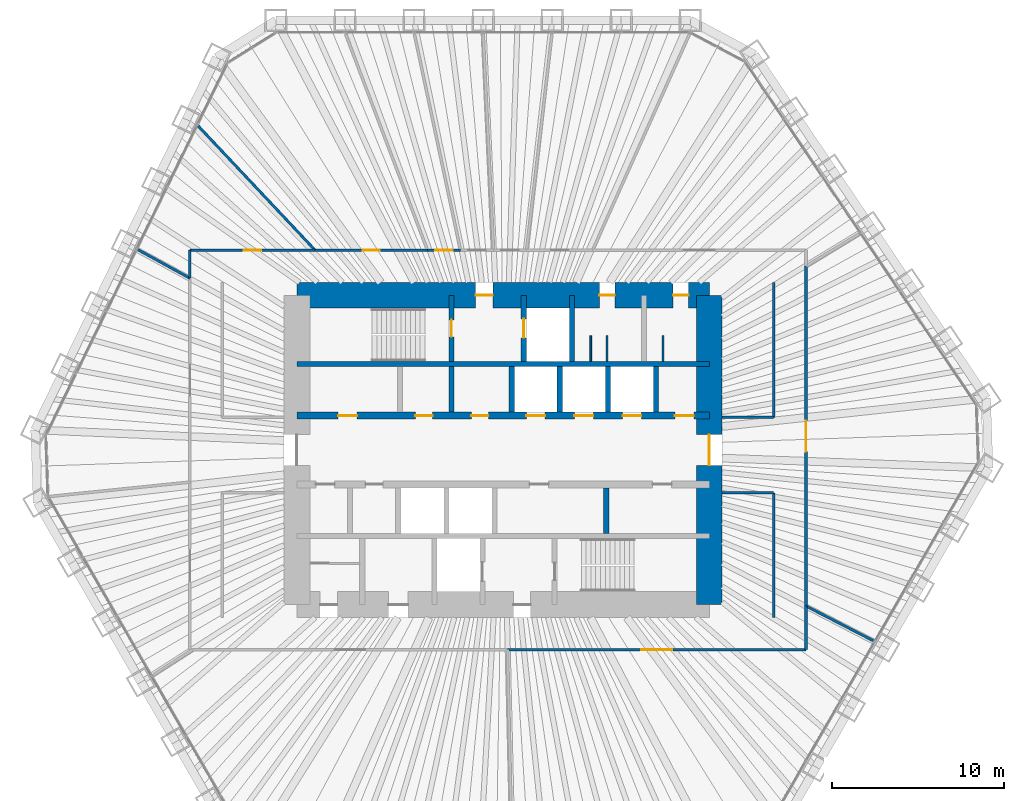
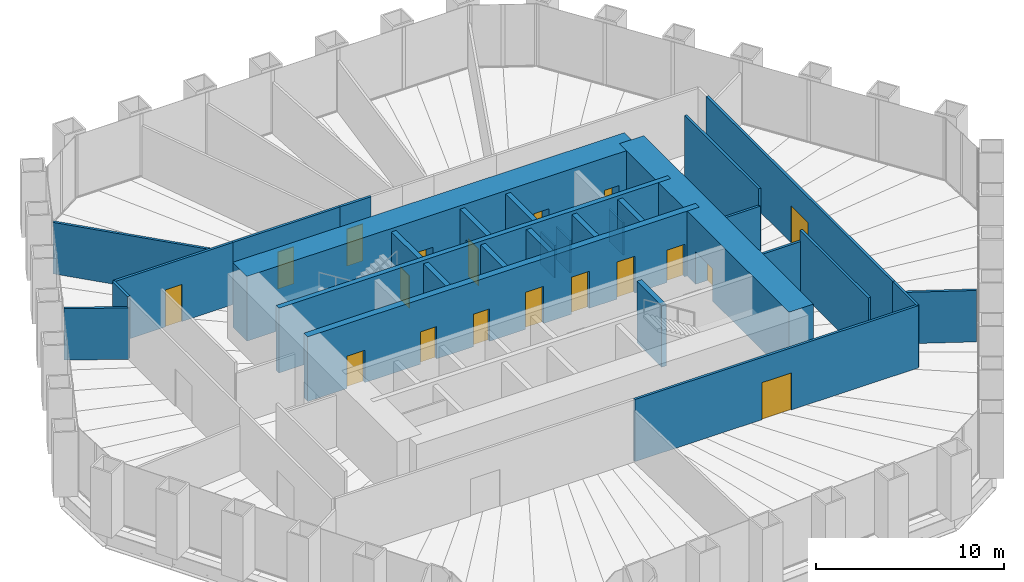
# One storey, part 11 of 13: 30 walls, 18 doors, 18 openings.
"""IFC4 building model written with IfcOpenShell, lengths in metres."""

from ifc_helpers import new_model, si_unit, direction, frame, frame_2d, origin, place, context, subcontext, project, spatial, rectangle, extrude, material, layer, layer_set, type_object, element, fill, save


model = new_model("IFC4")

# Units and contexts
model_context = context("Model", 3, precision=1e-05, world=origin(), true_north=direction((0.0, 1.0)))
body_context = subcontext(model_context, "Body", "Model", "MODEL_VIEW")
ifc_project = project(units=[si_unit("LENGTHUNIT", "METRE"), si_unit("AREAUNIT", "SQUARE_METRE"), si_unit("VOLUMEUNIT", "CUBIC_METRE"), si_unit("PLANEANGLEUNIT", "RADIAN"), si_unit("MASSUNIT", "GRAM", prefix="KILO")], contexts=[model_context])

# Site, building, storey
site_placement = place(None, origin())
site = spatial("IfcSite", under=ifc_project, at=site_placement, CompositionType="ELEMENT")
building_placement = place(site_placement, origin())
building = spatial("IfcBuilding", under=site, at=building_placement, Name="Qingtian Harvest Tower", CompositionType="ELEMENT")
storey_placement = place(building_placement, frame((0.0, 0.0, 145.0)))
storey = spatial("IfcBuildingStorey", under=building, at=storey_placement, Name="L30", CompositionType="ELEMENT", Elevation=145.0)

# Wall
ifc_material_1 = material(Name="Concrete fc' 70 MPa", Category="concrete")
ifc_layer_1 = layer(ifc_material_1, 0.300048828125)
ifc_layer_set_1 = layer_set([ifc_layer_1], Name="Core inner wall RC5 300")
wall_type_1 = type_object("IfcWallType", Name="Core inner wall RC5 300", PredefinedType="SHEAR", material=ifc_layer_set_1)
wall_1_placement = place(storey_placement, frame((-12.0, 5.0, 0.0), z_axis=(0.0, 0.0, 1.0), x_axis=(1.0, 0.0, 0.0)))
element("IfcWall", 1, at=wall_1_placement, inside=storey, type_object=wall_type_1, Name="Core wall IN5 L30", PredefinedType="SHEAR", context=body_context, shape_type="SweptSolid", body=[
    extrude(rectangle(XDim=24.0, YDim=0.300048828125, at=frame_2d((12.0, 0.0))), origin(), (0.0, 0.0, 1.0), 4.199951171875),
])

# Wall, openings, doors
ifc_material_2 = material(Name="Concrete fc' 70 MPa", Category="concrete")
ifc_layer_2 = layer(ifc_material_2, 0.39990234375)
ifc_layer_set_2 = layer_set([ifc_layer_2], Name="Core inner web RC6 400")
wall_type_2 = type_object("IfcWallType", Name="Core inner web RC6 400", PredefinedType="SHEAR", material=ifc_layer_set_2)
wall_2_placement = place(storey_placement, frame((-12.0, 2.0, 0.0), z_axis=(0.0, 0.0, 1.0), x_axis=(1.0, 0.0, 0.0)))
wall_2 = element("IfcWall", 2, at=wall_2_placement, inside=storey, type_object=wall_type_2, Name="Core wall IN2 L30", PredefinedType="SHEAR", context=body_context, shape_type="SweptSolid", body=[
    extrude(rectangle(XDim=24.0, YDim=0.39990234375, at=frame_2d((12.0, 0.0))), origin(), (0.0, 0.0, 1.0), 4.199951171875),
])
opening_1_placement = place(wall_2_placement, frame((2.39990234375, 0.0, 0.0)))
opening_1 = element("IfcOpeningElement", 3, at=opening_1_placement, cuts=wall_2, Name="Opening FD4", PredefinedType="OPENING", context=body_context, shape_type="SweptSolid", body=[
    extrude(rectangle(XDim=1.10009765625, YDim=2.10009765625, at=frame_2d((0.550048828125, 1.050048828125))), frame((0.0, 0.2099609375, 0.0), z_axis=(0.0, -1.0, 0.0), x_axis=(1.0, 0.0, 0.0)), (0.0, 0.0, 1.0), 0.419921875),
])
opening_2_placement = place(wall_2_placement, frame((22.0, 0.0, 0.0)))
opening_2 = element("IfcOpeningElement", 4, at=opening_2_placement, cuts=wall_2, Name="Opening FD4", PredefinedType="OPENING", context=body_context, shape_type="SweptSolid", body=[
    extrude(rectangle(XDim=1.10009765625, YDim=2.10009765625, at=frame_2d((0.550048828125, 1.050048828125))), frame((0.0, 0.2099609375, 0.0), z_axis=(0.0, -1.0, 0.0), x_axis=(1.0, 0.0, 0.0)), (0.0, 0.0, 1.0), 0.419921875),
])
opening_3_placement = place(wall_2_placement, frame((10.14990234375, 0.0, 0.0)))
opening_3 = element("IfcOpeningElement", 5, at=opening_3_placement, cuts=wall_2, Name="Opening FD1", PredefinedType="OPENING", context=body_context, shape_type="SweptSolid", body=[
    extrude(rectangle(XDim=1.0, YDim=2.10009765625, at=frame_2d((0.5, 1.050048828125))), frame((0.0, 0.2099609375, 0.0), z_axis=(0.0, -1.0, 0.0), x_axis=(1.0, 0.0, 0.0)), (0.0, 0.0, 1.0), 0.419921875),
])
opening_4_placement = place(wall_2_placement, frame((6.89990234375, 0.0, 0.0)))
opening_4 = element("IfcOpeningElement", 6, at=opening_4_placement, cuts=wall_2, Name="Opening FD1", PredefinedType="OPENING", context=body_context, shape_type="SweptSolid", body=[
    extrude(rectangle(XDim=1.0, YDim=2.10009765625, at=frame_2d((0.5, 1.050048828125))), frame((0.0, 0.2099609375, 0.0), z_axis=(0.0, -1.0, 0.0), x_axis=(1.0, 0.0, 0.0)), (0.0, 0.0, 1.0), 0.419921875),
])
opening_5_placement = place(wall_2_placement, frame((13.35009765625, 0.0, 0.0)))
opening_5 = element("IfcOpeningElement", 7, at=opening_5_placement, cuts=wall_2, Name="Opening LD1", PredefinedType="OPENING", context=body_context, shape_type="SweptSolid", body=[
    extrude(rectangle(XDim=1.10009765625, YDim=2.39990234375, at=frame_2d((0.550048828125, 1.199951171875))), frame((0.0, 0.2099609375, 0.0), z_axis=(0.0, -1.0, 0.0), x_axis=(1.0, 0.0, 0.0)), (0.0, 0.0, 1.0), 0.419921875),
])
opening_6_placement = place(wall_2_placement, frame((16.14990234375, 0.0, 0.0)))
opening_6 = element("IfcOpeningElement", 8, at=opening_6_placement, cuts=wall_2, Name="Opening LD1", PredefinedType="OPENING", context=body_context, shape_type="SweptSolid", body=[
    extrude(rectangle(XDim=1.10009765625, YDim=2.39990234375, at=frame_2d((0.550048828125, 1.199951171875))), frame((0.0, 0.2099609375, 0.0), z_axis=(0.0, -1.0, 0.0), x_axis=(1.0, 0.0, 0.0)), (0.0, 0.0, 1.0), 0.419921875),
])
opening_7_placement = place(wall_2_placement, frame((18.949951171875, 0.0, 0.0)))
opening_7 = element("IfcOpeningElement", 9, at=opening_7_placement, cuts=wall_2, Name="Opening LD1", PredefinedType="OPENING", context=body_context, shape_type="SweptSolid", body=[
    extrude(rectangle(XDim=1.10009765625, YDim=2.39990234375, at=frame_2d((0.550048828125, 1.199951171875))), frame((0.0, 0.2099609375, 0.0), z_axis=(0.0, -1.0, 0.0), x_axis=(1.0, 0.0, 0.0)), (0.0, 0.0, 1.0), 0.419921875),
])
ifc_material_3 = material(Name="Steel-faced door leaf", Category="steel")
door_type_1 = type_object("IfcDoorType", Name="Fire door FD1 single 1 HR", OperationType="SINGLE_SWING_LEFT", PredefinedType="DOOR", material=ifc_material_3)
door_1_placement = place(opening_3_placement, origin())
door_1 = element("IfcDoor", 10, at=door_1_placement, inside=storey, type_object=door_type_1, Name="STA door L30", OperationType="SINGLE_SWING_LEFT", OverallHeight=2.10009765625, OverallWidth=1.0, PredefinedType="DOOR", context=body_context, shape_type="SweptSolid", body=[
    extrude(rectangle(XDim=1.0, YDim=2.10009765625, at=frame_2d((0.5, 1.050048828125))), frame((0.0, 0.02490234375, 0.0), z_axis=(0.0, -1.0, 0.0), x_axis=(1.0, 0.0, 0.0)), (0.0, 0.0, 1.0), 0.050048828125),
])
fill(opening_3, door_1)
door_2_placement = place(opening_4_placement, origin())
door_2 = element("IfcDoor", 11, at=door_2_placement, inside=storey, type_object=door_type_1, Name="Linen store door L30", OperationType="SINGLE_SWING_RIGHT", OverallHeight=2.10009765625, OverallWidth=1.0, PredefinedType="DOOR", context=body_context, shape_type="SweptSolid", body=[
    extrude(rectangle(XDim=1.0, YDim=2.10009765625, at=frame_2d((0.5, 1.050048828125))), frame((0.0, 0.02490234375, 0.0), z_axis=(0.0, -1.0, 0.0), x_axis=(1.0, 0.0, 0.0)), (0.0, 0.0, 1.0), 0.050048828125),
])
fill(opening_4, door_2)
ifc_material_4 = material(Name="Steel-faced door leaf", Category="steel")
door_type_2 = type_object("IfcDoorType", Name="Fire door FD4 single 2 HR", OperationType="SINGLE_SWING_LEFT", PredefinedType="DOOR", material=ifc_material_4)
door_3_placement = place(opening_1_placement, origin())
door_3 = element("IfcDoor", 12, at=door_3_placement, inside=storey, type_object=door_type_2, Name="RA door L30", OperationType="SINGLE_SWING_LEFT", OverallHeight=2.10009765625, OverallWidth=1.10009765625, PredefinedType="DOOR", context=body_context, shape_type="SweptSolid", body=[
    extrude(rectangle(XDim=1.10009765625, YDim=2.10009765625, at=frame_2d((0.550048828125, 1.050048828125))), frame((0.0, 0.02490234375, 0.0), z_axis=(0.0, -1.0, 0.0), x_axis=(1.0, 0.0, 0.0)), (0.0, 0.0, 1.0), 0.050048828125),
])
fill(opening_1, door_3)
door_4_placement = place(opening_2_placement, origin())
door_4 = element("IfcDoor", 13, at=door_4_placement, inside=storey, type_object=door_type_2, Name="AHU door L30", OperationType="SINGLE_SWING_RIGHT", OverallHeight=2.10009765625, OverallWidth=1.10009765625, PredefinedType="DOOR", context=body_context, shape_type="SweptSolid", body=[
    extrude(rectangle(XDim=1.10009765625, YDim=2.10009765625, at=frame_2d((0.550048828125, 1.050048828125))), frame((0.0, 0.02490234375, 0.0), z_axis=(0.0, -1.0, 0.0), x_axis=(1.0, 0.0, 0.0)), (0.0, 0.0, 1.0), 0.050048828125),
])
fill(opening_2, door_4)
ifc_material_5 = material(Name="Stainless steel lift landing door", Category="steel")
door_type_3 = type_object("IfcDoorType", Name="Lift landing door LD1 1 HR", OperationType="DOUBLE_DOOR_SLIDING", PredefinedType="DOOR", material=ifc_material_5)
door_5_placement = place(opening_5_placement, origin())
door_5 = element("IfcDoor", 14, at=door_5_placement, inside=storey, type_object=door_type_3, Name="PLB1 landing door L30", OperationType="DOUBLE_DOOR_SLIDING", OverallHeight=2.39990234375, OverallWidth=1.10009765625, PredefinedType="DOOR", context=body_context, shape_type="SweptSolid", body=[
    extrude(rectangle(XDim=1.10009765625, YDim=2.39990234375, at=frame_2d((0.550048828125, 1.199951171875))), frame((0.0, 0.02490234375, 0.0), z_axis=(0.0, -1.0, 0.0), x_axis=(1.0, 0.0, 0.0)), (0.0, 0.0, 1.0), 0.050048828125),
])
fill(opening_5, door_5)
door_6_placement = place(opening_6_placement, origin())
door_6 = element("IfcDoor", 15, at=door_6_placement, inside=storey, type_object=door_type_3, Name="PLB2 landing door L30", OperationType="DOUBLE_DOOR_SLIDING", OverallHeight=2.39990234375, OverallWidth=1.10009765625, PredefinedType="DOOR", context=body_context, shape_type="SweptSolid", body=[
    extrude(rectangle(XDim=1.10009765625, YDim=2.39990234375, at=frame_2d((0.550048828125, 1.199951171875))), frame((0.0, 0.02490234375, 0.0), z_axis=(0.0, -1.0, 0.0), x_axis=(1.0, 0.0, 0.0)), (0.0, 0.0, 1.0), 0.050048828125),
])
fill(opening_6, door_6)
door_7_placement = place(opening_7_placement, origin())
door_7 = element("IfcDoor", 16, at=door_7_placement, inside=storey, type_object=door_type_3, Name="PLB3 landing door L30", OperationType="DOUBLE_DOOR_SLIDING", OverallHeight=2.39990234375, OverallWidth=1.10009765625, PredefinedType="DOOR", context=body_context, shape_type="SweptSolid", body=[
    extrude(rectangle(XDim=1.10009765625, YDim=2.39990234375, at=frame_2d((0.550048828125, 1.199951171875))), frame((0.0, 0.02490234375, 0.0), z_axis=(0.0, -1.0, 0.0), x_axis=(1.0, 0.0, 0.0)), (0.0, 0.0, 1.0), 0.050048828125),
])
fill(opening_7, door_7)

# Wall, opening, door
ifc_material_6 = material(Name="Precast concrete shaft panel", Category="concrete")
ifc_layer_3 = layer(ifc_material_6, 0.300048828125)
ifc_layer_set_3 = layer_set([ifc_layer_3], Name="Core shaft partition SW1 300")
wall_type_3 = type_object("IfcWallType", Name="Core shaft partition SW1 300", PredefinedType="PARTITIONING", material=ifc_layer_set_3)
wall_3_placement = place(storey_placement, frame((-3.0, 5.14990234375, 0.0), z_axis=(0.0, 0.0, 1.0), x_axis=(0.0, 1.0, 0.0)))
wall_3 = element("IfcWall", 17, at=wall_3_placement, inside=storey, type_object=wall_type_3, Name="Core shaft partition XN1 L30", PredefinedType="PARTITIONING", context=body_context, shape_type="SweptSolid", body=[
    extrude(rectangle(XDim=3.85009765625, YDim=0.300048828125, at=frame_2d((1.925048828125, 0.0))), origin(), (0.0, 0.0, 1.0), 3.97998046875),
])
opening_8_placement = place(wall_3_placement, frame((1.425048828125, 0.0, 0.0)))
opening_8 = element("IfcOpeningElement", 18, at=opening_8_placement, cuts=wall_3, Name="Opening FD1", PredefinedType="OPENING", context=body_context, shape_type="SweptSolid", body=[
    extrude(rectangle(XDim=1.0, YDim=2.10009765625, at=frame_2d((0.5, 1.050048828125))), frame((0.0, 0.159912109375, 0.0), z_axis=(0.0, -1.0, 0.0), x_axis=(1.0, 0.0, 0.0)), (0.0, 0.0, 1.0), 0.320068359375),
])
door_8_placement = place(opening_8_placement, origin())
door_8 = element("IfcDoor", 19, at=door_8_placement, inside=storey, type_object=door_type_1, Name="S1 door L30", OperationType="SINGLE_SWING_LEFT", OverallHeight=2.10009765625, OverallWidth=1.0, PredefinedType="DOOR", context=body_context, shape_type="SweptSolid", body=[
    extrude(rectangle(XDim=1.0, YDim=2.10009765625, at=frame_2d((0.5, 1.050048828125))), frame((0.0, 0.02490234375, 0.0), z_axis=(0.0, -1.0, 0.0), x_axis=(1.0, 0.0, 0.0)), (0.0, 0.0, 1.0), 0.050048828125),
])
fill(opening_8, door_8)

wall_4_placement = place(storey_placement, frame((1.199951171875, 5.14990234375, 0.0), z_axis=(0.0, 0.0, 1.0), x_axis=(0.0, 1.0, 0.0)))
wall_4 = element("IfcWall", 20, at=wall_4_placement, inside=storey, type_object=wall_type_3, Name="Core shaft partition XN2 L30", PredefinedType="PARTITIONING", context=body_context, shape_type="SweptSolid", body=[
    extrude(rectangle(XDim=3.85009765625, YDim=0.300048828125, at=frame_2d((1.925048828125, 0.0))), origin(), (0.0, 0.0, 1.0), 3.97998046875),
])
opening_9_placement = place(wall_4_placement, frame((1.375, 0.0, 0.0)))
opening_9 = element("IfcOpeningElement", 21, at=opening_9_placement, cuts=wall_4, Name="Opening LD1", PredefinedType="OPENING", context=body_context, shape_type="SweptSolid", body=[
    extrude(rectangle(XDim=1.10009765625, YDim=2.39990234375, at=frame_2d((0.550048828125, 1.199951171875))), frame((0.0, 0.159912109375, 0.0), z_axis=(0.0, -1.0, 0.0), x_axis=(1.0, 0.0, 0.0)), (0.0, 0.0, 1.0), 0.320068359375),
])
door_9_placement = place(opening_9_placement, origin())
door_9 = element("IfcDoor", 22, at=door_9_placement, inside=storey, type_object=door_type_3, Name="FL1 landing door L30", OperationType="DOUBLE_DOOR_SLIDING", OverallHeight=2.39990234375, OverallWidth=1.10009765625, PredefinedType="DOOR", context=body_context, shape_type="SweptSolid", body=[
    extrude(rectangle(XDim=1.10009765625, YDim=2.39990234375, at=frame_2d((0.550048828125, 1.199951171875))), frame((0.0, 0.02490234375, 0.0), z_axis=(0.0, -1.0, 0.0), x_axis=(1.0, 0.0, 0.0)), (0.0, 0.0, 1.0), 0.050048828125),
])
fill(opening_9, door_9)

# Walls
wall_5_placement = place(storey_placement, frame((4.0, 5.14990234375, 0.0), z_axis=(0.0, 0.0, 1.0), x_axis=(0.0, 1.0, 0.0)))
element("IfcWall", 23, at=wall_5_placement, inside=storey, type_object=wall_type_3, Name="Core shaft partition XN3 L30", PredefinedType="PARTITIONING", context=body_context, shape_type="SweptSolid", body=[
    extrude(rectangle(XDim=3.85009765625, YDim=0.300048828125, at=frame_2d((1.925048828125, 0.0))), origin(), (0.0, 0.0, 1.0), 3.97998046875),
])
for number, where, z_axis, x_axis, name in (
    (24, (-3.0, 2.199951171875, 0.0), (0.0, 0.0, 1.0), (0.0, 1.0, 0.0), "Core shaft partition XA2 L30"),
    (25, (0.5, 2.199951171875, 0.0), (0.0, 0.0, 1.0), (0.0, 1.0, 0.0), "Core shaft partition XA3 L30"),
    (26, (3.300048828125, 2.199951171875, 0.0), (0.0, 0.0, 1.0), (0.0, 1.0, 0.0), "Core shaft partition XA4 L30"),
    (27, (6.10009765625, 2.199951171875, 0.0), (0.0, 0.0, 1.0), (0.0, 1.0, 0.0), "Core shaft partition XA5 L30"),
    (28, (8.89990234375, 2.199951171875, 0.0), (0.0, 0.0, 1.0), (0.0, 1.0, 0.0), "Core shaft partition XA6 L30"),
    (29, (6.0, -4.85009765625, 0.0), (0.0, 0.0, 1.0), (0.0, 1.0, 0.0), "Core shaft partition XB5 L30"),
):
    element("IfcWall", number, at=place(storey_placement, frame(where, z_axis=z_axis, x_axis=x_axis)), inside=storey, type_object=wall_type_3, Name=name, PredefinedType="PARTITIONING", context=body_context, shape_type="SweptSolid", body=[
        extrude(rectangle(XDim=2.650146484375, YDim=0.300048828125, at=frame_2d((1.3251953125, 0.0))), origin(), (0.0, 0.0, 1.0), 3.97998046875),
    ])

# Wall, openings, doors
ifc_material_7 = material(Name="Concrete fc' 70 MPa", Category="concrete")
ifc_layer_4 = layer(ifc_material_7, 1.5)
ifc_layer_set_4 = layer_set([ifc_layer_4], Name="Core wall RC1 1500")
wall_type_4 = type_object("IfcWallType", Name="Core wall RC1 1500", PredefinedType="SHEAR", material=ifc_layer_set_4)
wall_6_placement = place(storey_placement, frame((-12.0, 9.0, 0.0), z_axis=(0.0, 0.0, 1.0), x_axis=(1.0, 0.0, 0.0)))
wall_6 = element("IfcWall", 30, at=wall_6_placement, inside=storey, type_object=wall_type_4, Name="Core wall CN L30", PredefinedType="SHEAR", context=body_context, shape_type="SweptSolid", body=[
    extrude(rectangle(XDim=24.0, YDim=1.5, at=frame_2d((12.0, 0.0))), origin(), (0.0, 0.0, 1.0), 4.199951171875),
])
opening_10_placement = place(wall_6_placement, frame((10.39990234375, 0.0, 0.0)))
opening_10 = element("IfcOpeningElement", 31, at=opening_10_placement, cuts=wall_6, Name="Opening FD1", PredefinedType="OPENING", context=body_context, shape_type="SweptSolid", body=[
    extrude(rectangle(XDim=1.0, YDim=2.10009765625, at=frame_2d((0.5, 1.050048828125))), frame((0.0, 0.760009765625, 0.0), z_axis=(0.0, -1.0, 0.0), x_axis=(1.0, 0.0, 0.0)), (0.0, 0.0, 1.0), 1.52001953125),
])
opening_11_placement = place(wall_6_placement, frame((17.60009765625, 0.0, 0.0)))
opening_11 = element("IfcOpeningElement", 32, at=opening_11_placement, cuts=wall_6, Name="Opening D1", PredefinedType="OPENING", context=body_context, shape_type="SweptSolid", body=[
    extrude(rectangle(XDim=0.89990234375, YDim=2.10009765625, at=frame_2d((0.449951171875, 1.050048828125))), frame((0.0, 0.760009765625, 0.0), z_axis=(0.0, -1.0, 0.0), x_axis=(1.0, 0.0, 0.0)), (0.0, 0.0, 1.0), 1.52001953125),
])
opening_12_placement = place(wall_6_placement, frame((21.89990234375, 0.0, 0.0)))
opening_12 = element("IfcOpeningElement", 33, at=opening_12_placement, cuts=wall_6, Name="Opening D1", PredefinedType="OPENING", context=body_context, shape_type="SweptSolid", body=[
    extrude(rectangle(XDim=0.89990234375, YDim=2.10009765625, at=frame_2d((0.449951171875, 1.050048828125))), frame((0.0, 0.760009765625, 0.0), z_axis=(0.0, -1.0, 0.0), x_axis=(1.0, 0.0, 0.0)), (0.0, 0.0, 1.0), 1.52001953125),
])
door_10_placement = place(opening_10_placement, origin())
door_10 = element("IfcDoor", 34, at=door_10_placement, inside=storey, type_object=door_type_1, Name="V1 door L30", OperationType="SINGLE_SWING_LEFT", OverallHeight=2.10009765625, OverallWidth=1.0, PredefinedType="DOOR", context=body_context, shape_type="SweptSolid", body=[
    extrude(rectangle(XDim=1.0, YDim=2.10009765625, at=frame_2d((0.5, 1.050048828125))), frame((0.0, 0.02490234375, 0.0), z_axis=(0.0, -1.0, 0.0), x_axis=(1.0, 0.0, 0.0)), (0.0, 0.0, 1.0), 0.050048828125),
])
fill(opening_10, door_10)
ifc_material_8 = material(Name="Laminated timber door leaf", Category="wood")
door_type_4 = type_object("IfcDoorType", Name="Toilet door D1 single", OperationType="SINGLE_SWING_LEFT", PredefinedType="DOOR", material=ifc_material_8)
door_11_placement = place(opening_11_placement, origin())
door_11 = element("IfcDoor", 35, at=door_11_placement, inside=storey, type_object=door_type_4, Name="WCM door L30", OperationType="SINGLE_SWING_LEFT", OverallHeight=2.10009765625, OverallWidth=0.89990234375, PredefinedType="DOOR", context=body_context, shape_type="SweptSolid", body=[
    extrude(rectangle(XDim=0.89990234375, YDim=2.10009765625, at=frame_2d((0.449951171875, 1.050048828125))), frame((0.0, 0.02490234375, 0.0), z_axis=(0.0, -1.0, 0.0), x_axis=(1.0, 0.0, 0.0)), (0.0, 0.0, 1.0), 0.050048828125),
])
fill(opening_11, door_11)
door_12_placement = place(opening_12_placement, origin())
door_12 = element("IfcDoor", 36, at=door_12_placement, inside=storey, type_object=door_type_4, Name="WCF door L30", OperationType="SINGLE_SWING_LEFT", OverallHeight=2.10009765625, OverallWidth=0.89990234375, PredefinedType="DOOR", context=body_context, shape_type="SweptSolid", body=[
    extrude(rectangle(XDim=0.89990234375, YDim=2.10009765625, at=frame_2d((0.449951171875, 1.050048828125))), frame((0.0, 0.02490234375, 0.0), z_axis=(0.0, -1.0, 0.0), x_axis=(1.0, 0.0, 0.0)), (0.0, 0.0, 1.0), 0.050048828125),
])
fill(opening_12, door_12)

# Wall, opening, door
wall_7_placement = place(storey_placement, frame((12.0, -9.0, 0.0), z_axis=(0.0, 0.0, 1.0), x_axis=(0.0, 1.0, 0.0)))
wall_7 = element("IfcWall", 37, at=wall_7_placement, inside=storey, type_object=wall_type_4, Name="Core wall CE L30", PredefinedType="SHEAR", context=body_context, shape_type="SweptSolid", body=[
    extrude(rectangle(XDim=18.0, YDim=1.5, at=frame_2d((9.0, 0.0))), origin(), (0.0, 0.0, 1.0), 4.199951171875),
])
opening_13_placement = place(wall_7_placement, frame((8.10009765625, 0.0, 0.0)))
opening_13 = element("IfcOpeningElement", 38, at=opening_13_placement, cuts=wall_7, Name="Opening FD2", PredefinedType="OPENING", context=body_context, shape_type="SweptSolid", body=[
    extrude(rectangle(XDim=1.800048828125, YDim=2.10009765625, at=frame_2d((0.89990234375, 1.050048828125))), frame((0.0, 0.760009765625, 0.0), z_axis=(0.0, -1.0, 0.0), x_axis=(1.0, 0.0, 0.0)), (0.0, 0.0, 1.0), 1.52001953125),
])
ifc_material_9 = material(Name="Steel-faced door leaf", Category="steel")
door_type_5 = type_object("IfcDoorType", Name="Fire door FD2 double 1 HR", OperationType="DOUBLE_DOOR_DOUBLE_SWING", PredefinedType="DOOR", material=ifc_material_9)
door_13_placement = place(opening_13_placement, origin())
door_13 = element("IfcDoor", 39, at=door_13_placement, inside=storey, type_object=door_type_5, Name="LOBBY-E door L30", OperationType="DOUBLE_DOOR_DOUBLE_SWING", OverallHeight=2.10009765625, OverallWidth=1.800048828125, PredefinedType="DOOR", context=body_context, shape_type="SweptSolid", body=[
    extrude(rectangle(XDim=1.800048828125, YDim=2.10009765625, at=frame_2d((0.89990234375, 1.050048828125))), frame((0.0, 0.02490234375, 0.0), z_axis=(0.0, -1.0, 0.0), x_axis=(1.0, 0.0, 0.0)), (0.0, 0.0, 1.0), 0.050048828125),
])
fill(opening_13, door_13)

ifc_material_10 = material(Name="Gypsum board on steel studs", Category="steel")
ifc_layer_5 = layer(ifc_material_10, 0.14990234375)
ifc_layer_set_5 = layer_set([ifc_layer_5], Name="Partition PT1 150")
wall_type_5 = type_object("IfcWallType", Name="Partition PT1 150", PredefinedType="PARTITIONING", material=ifc_layer_set_5)
wall_8_placement = place(storey_placement, frame((17.625, 10.69775390625, 0.0), z_axis=(0.0, 0.0, 1.0), x_axis=(0.0, -1.0, 0.0)))
wall_8 = element("IfcWall", 40, at=wall_8_placement, inside=storey, type_object=wall_type_5, Name="Office suite wall L30", PredefinedType="PARTITIONING", context=body_context, shape_type="SweptSolid", body=[
    extrude(rectangle(XDim=19.77783203125, YDim=0.14990234375, at=frame_2d((9.888916015625, 0.0))), origin(), (0.0, 0.0, 1.0), 4.030029296875),
])
opening_14_placement = place(wall_8_placement, frame((8.98876953125, 0.0, 0.0)))
opening_14 = element("IfcOpeningElement", 41, at=opening_14_placement, cuts=wall_8, Name="Opening D3", PredefinedType="OPENING", context=body_context, shape_type="SweptSolid", body=[
    extrude(rectangle(XDim=1.800048828125, YDim=2.39990234375, at=frame_2d((0.89990234375, 1.199951171875))), frame((0.0, 0.0849609375, 0.0), z_axis=(0.0, -1.0, 0.0), x_axis=(1.0, 0.0, 0.0)), (0.0, 0.0, 1.0), 0.169921875),
])
ifc_material_11 = material(Name="Laminated timber door leaf", Category="wood")
door_type_6 = type_object("IfcDoorType", Name="Room door D3 double", OperationType="DOUBLE_DOOR_DOUBLE_SWING", PredefinedType="DOOR", material=ifc_material_11)
door_14_placement = place(opening_14_placement, origin())
door_14 = element("IfcDoor", 42, at=door_14_placement, inside=storey, type_object=door_type_6, Name="Office suite door L30", OperationType="DOUBLE_DOOR_DOUBLE_SWING", OverallHeight=2.39990234375, OverallWidth=1.800048828125, PredefinedType="DOOR", context=body_context, shape_type="SweptSolid", body=[
    extrude(rectangle(XDim=1.800048828125, YDim=2.39990234375, at=frame_2d((0.89990234375, 1.199951171875))), frame((0.0, 0.02490234375, 0.0), z_axis=(0.0, -1.0, 0.0), x_axis=(1.0, 0.0, 0.0)), (0.0, 0.0, 1.0), 0.050048828125),
])
fill(opening_14, door_14)

# Walls
wall_9_placement = place(storey_placement, frame((21.537841796875, -11.095703125, 0.0), z_axis=(0.0, 0.0, 1.0), x_axis=(-0.888982083501, 0.457941977999, 0.0)))
element("IfcWall", 43, at=wall_9_placement, inside=storey, type_object=wall_type_5, Name="Office suite wall L30", PredefinedType="PARTITIONING", context=body_context, shape_type="SweptSolid", body=[
    extrude(rectangle(XDim=4.4013671875, YDim=0.14990234375, at=frame_2d((2.20068359375, 0.0))), origin(), (0.0, 0.0, 1.0), 3.330078125),
])
wall_10_placement = place(storey_placement, frame((17.625, -9.080078125, 0.0), z_axis=(0.0, 0.0, 1.0), x_axis=(0.0, -1.0, 0.0)))
element("IfcWall", 44, at=wall_10_placement, inside=storey, type_object=wall_type_5, Name="Office suite wall L30", PredefinedType="PARTITIONING", context=body_context, shape_type="SweptSolid", body=[
    extrude(rectangle(XDim=2.544921875, YDim=0.14990234375, at=frame_2d((1.2724609375, 0.0))), origin(), (0.0, 0.0, 1.0), 4.030029296875),
])

# Wall, opening, door
wall_11_placement = place(storey_placement, frame((17.625, -11.625, 0.0), z_axis=(0.0, 0.0, 1.0), x_axis=(-1.0, 0.0, 0.0)))
wall_11 = element("IfcWall", 45, at=wall_11_placement, inside=storey, type_object=wall_type_5, Name="Office suite wall L30", PredefinedType="PARTITIONING", context=body_context, shape_type="SweptSolid", body=[
    extrude(rectangle(XDim=17.3701171875, YDim=0.14990234375, at=frame_2d((8.68505859375, 0.0))), origin(), (0.0, 0.0, 1.0), 4.030029296875),
])
opening_15_placement = place(wall_11_placement, frame((7.784912109375, 0.0, 0.0)))
opening_15 = element("IfcOpeningElement", 46, at=opening_15_placement, cuts=wall_11, Name="Opening D3", PredefinedType="OPENING", context=body_context, shape_type="SweptSolid", body=[
    extrude(rectangle(XDim=1.800048828125, YDim=2.39990234375, at=frame_2d((0.89990234375, 1.199951171875))), frame((0.0, 0.0849609375, 0.0), z_axis=(0.0, -1.0, 0.0), x_axis=(1.0, 0.0, 0.0)), (0.0, 0.0, 1.0), 0.169921875),
])
door_15_placement = place(opening_15_placement, origin())
door_15 = element("IfcDoor", 47, at=door_15_placement, inside=storey, type_object=door_type_6, Name="Office suite door L30", OperationType="DOUBLE_DOOR_DOUBLE_SWING", OverallHeight=2.39990234375, OverallWidth=1.800048828125, PredefinedType="DOOR", context=body_context, shape_type="SweptSolid", body=[
    extrude(rectangle(XDim=1.800048828125, YDim=2.39990234375, at=frame_2d((0.89990234375, 1.199951171875))), frame((0.0, 0.02490234375, 0.0), z_axis=(0.0, -1.0, 0.0), x_axis=(1.0, 0.0, 0.0)), (0.0, 0.0, 1.0), 0.050048828125),
])
fill(opening_15, door_15)

# Walls
wall_12_placement = place(storey_placement, frame((-21.242431640625, 11.65087890625, 0.0), z_axis=(0.0, 0.0, 1.0), x_axis=(0.876768023831, -0.480913539409, 0.0)))
element("IfcWall", 48, at=wall_12_placement, inside=storey, type_object=wall_type_5, Name="Pantry wall L30", PredefinedType="PARTITIONING", context=body_context, shape_type="SweptSolid", body=[
    extrude(rectangle(XDim=3.44140625, YDim=0.14990234375, at=frame_2d((1.720703125, 0.0))), origin(), (0.0, 0.0, 1.0), 3.330078125),
])
wall_13_placement = place(storey_placement, frame((-18.22509765625, 9.995849609375, 0.0), z_axis=(0.0, 0.0, 1.0), x_axis=(0.0, 1.0, 0.0)))
element("IfcWall", 49, at=wall_13_placement, inside=storey, type_object=wall_type_5, Name="Pantry wall L30", PredefinedType="PARTITIONING", context=body_context, shape_type="SweptSolid", body=[
    extrude(rectangle(XDim=1.629150390625, YDim=0.14990234375, at=frame_2d((0.814453125, 0.0))), origin(), (0.0, 0.0, 1.0), 4.030029296875),
])

# Wall, opening, door
wall_14_placement = place(storey_placement, frame((-18.22509765625, 11.625, 0.0), z_axis=(0.0, 0.0, 1.0), x_axis=(1.0, 0.0, 0.0)))
wall_14 = element("IfcWall", 50, at=wall_14_placement, inside=storey, type_object=wall_type_5, Name="Pantry wall L30", PredefinedType="PARTITIONING", context=body_context, shape_type="SweptSolid", body=[
    extrude(rectangle(XDim=7.286376953125, YDim=0.14990234375, at=frame_2d((3.64306640625, 0.0))), origin(), (0.0, 0.0, 1.0), 4.030029296875),
])
opening_16_placement = place(wall_14_placement, frame((3.14306640625, 0.0, 0.0)))
opening_16 = element("IfcOpeningElement", 51, at=opening_16_placement, cuts=wall_14, Name="Opening D2", PredefinedType="OPENING", context=body_context, shape_type="SweptSolid", body=[
    extrude(rectangle(XDim=1.0, YDim=2.39990234375, at=frame_2d((0.5, 1.199951171875))), frame((0.0, 0.0849609375, 0.0), z_axis=(0.0, -1.0, 0.0), x_axis=(1.0, 0.0, 0.0)), (0.0, 0.0, 1.0), 0.169921875),
])
ifc_material_12 = material(Name="Laminated timber door leaf", Category="wood")
door_type_7 = type_object("IfcDoorType", Name="Room door D2 single", OperationType="SINGLE_SWING_LEFT", PredefinedType="DOOR", material=ifc_material_12)
door_16_placement = place(opening_16_placement, origin())
door_16 = element("IfcDoor", 52, at=door_16_placement, inside=storey, type_object=door_type_7, Name="Pantry door L30", OperationType="SINGLE_SWING_RIGHT", OverallHeight=2.39990234375, OverallWidth=1.0, PredefinedType="DOOR", context=body_context, shape_type="SweptSolid", body=[
    extrude(rectangle(XDim=1.0, YDim=2.39990234375, at=frame_2d((0.5, 1.199951171875))), frame((0.0, 0.02490234375, 0.0), z_axis=(0.0, -1.0, 0.0), x_axis=(1.0, 0.0, 0.0)), (0.0, 0.0, 1.0), 0.050048828125),
])
fill(opening_16, door_16)

# Wall
wall_15_placement = place(storey_placement, frame((-17.738037109375, 18.850830078125, 0.0), z_axis=(0.0, 0.0, 1.0), x_axis=(0.685286406267, -0.728273672039, 0.0)))
element("IfcWall", 53, at=wall_15_placement, inside=storey, type_object=wall_type_5, Name="Meeting room wall L30", PredefinedType="PARTITIONING", context=body_context, shape_type="SweptSolid", body=[
    extrude(rectangle(XDim=9.921875, YDim=0.14990234375, at=frame_2d((4.9609375, 0.0))), origin(), (0.0, 0.0, 1.0), 3.330078125),
])

# Wall, opening, door
wall_16_placement = place(storey_placement, frame((-10.938720703125, 11.625, 0.0), z_axis=(0.0, 0.0, 1.0), x_axis=(1.0, 0.0, 0.0)))
wall_16 = element("IfcWall", 54, at=wall_16_placement, inside=storey, type_object=wall_type_5, Name="Meeting room wall L30", PredefinedType="PARTITIONING", context=body_context, shape_type="SweptSolid", body=[
    extrude(rectangle(XDim=6.5361328125, YDim=0.14990234375, at=frame_2d((3.26806640625, 0.0))), origin(), (0.0, 0.0, 1.0), 4.030029296875),
])
opening_17_placement = place(wall_16_placement, frame((2.76806640625, 0.0, 0.0)))
opening_17 = element("IfcOpeningElement", 55, at=opening_17_placement, cuts=wall_16, Name="Opening D2", PredefinedType="OPENING", context=body_context, shape_type="SweptSolid", body=[
    extrude(rectangle(XDim=1.0, YDim=2.39990234375, at=frame_2d((0.5, 1.199951171875))), frame((0.0, 0.0849609375, 0.0), z_axis=(0.0, -1.0, 0.0), x_axis=(1.0, 0.0, 0.0)), (0.0, 0.0, 1.0), 0.169921875),
])
door_17_placement = place(opening_17_placement, origin())
door_17 = element("IfcDoor", 56, at=door_17_placement, inside=storey, type_object=door_type_7, Name="Meeting room door L30", OperationType="SINGLE_SWING_RIGHT", OverallHeight=2.39990234375, OverallWidth=1.0, PredefinedType="DOOR", context=body_context, shape_type="SweptSolid", body=[
    extrude(rectangle(XDim=1.0, YDim=2.39990234375, at=frame_2d((0.5, 1.199951171875))), frame((0.0, 0.02490234375, 0.0), z_axis=(0.0, -1.0, 0.0), x_axis=(1.0, 0.0, 0.0)), (0.0, 0.0, 1.0), 0.050048828125),
])
fill(opening_17, door_17)

wall_17_placement = place(storey_placement, frame((-4.402587890625, 11.625, 0.0), z_axis=(0.0, 0.0, 1.0), x_axis=(1.0, 0.0, 0.0)))
wall_17 = element("IfcWall", 57, at=wall_17_placement, inside=storey, type_object=wall_type_5, Name="Print room wall L30", PredefinedType="PARTITIONING", context=body_context, shape_type="SweptSolid", body=[
    extrude(rectangle(XDim=1.9228515625, YDim=0.14990234375, at=frame_2d((0.96142578125, 0.0))), origin(), (0.0, 0.0, 1.0), 4.030029296875),
])
opening_18_placement = place(wall_17_placement, frame((0.46142578125, 0.0, 0.0)))
opening_18 = element("IfcOpeningElement", 58, at=opening_18_placement, cuts=wall_17, Name="Opening D2", PredefinedType="OPENING", context=body_context, shape_type="SweptSolid", body=[
    extrude(rectangle(XDim=1.0, YDim=2.39990234375, at=frame_2d((0.5, 1.199951171875))), frame((0.0, 0.0849609375, 0.0), z_axis=(0.0, -1.0, 0.0), x_axis=(1.0, 0.0, 0.0)), (0.0, 0.0, 1.0), 0.169921875),
])
door_18_placement = place(opening_18_placement, origin())
door_18 = element("IfcDoor", 59, at=door_18_placement, inside=storey, type_object=door_type_7, Name="Print room door L30", OperationType="SINGLE_SWING_RIGHT", OverallHeight=2.39990234375, OverallWidth=1.0, PredefinedType="DOOR", context=body_context, shape_type="SweptSolid", body=[
    extrude(rectangle(XDim=1.0, YDim=2.39990234375, at=frame_2d((0.5, 1.199951171875))), frame((0.0, 0.02490234375, 0.0), z_axis=(0.0, -1.0, 0.0), x_axis=(1.0, 0.0, 0.0)), (0.0, 0.0, 1.0), 0.050048828125),
])
fill(opening_18, door_18)

# Walls
wall_18_placement = place(storey_placement, frame((15.75, 1.89990234375, 0.0), z_axis=(0.0, 0.0, 1.0), x_axis=(0.0, 1.0, 0.0)))
element("IfcWall", 60, at=wall_18_placement, inside=storey, type_object=wall_type_5, Name="Breakout space wall L30", PredefinedType="PARTITIONING", context=body_context, shape_type="SweptSolid", body=[
    extrude(rectangle(XDim=7.85009765625, YDim=0.14990234375, at=frame_2d((3.925048828125, 0.0))), origin(), (0.0, 0.0, 1.0), 4.030029296875),
])
wall_19_placement = place(storey_placement, frame((12.75, 1.89990234375, 0.0), z_axis=(0.0, 0.0, 1.0), x_axis=(1.0, 0.0, 0.0)))
element("IfcWall", 61, at=wall_19_placement, inside=storey, type_object=wall_type_5, Name="Breakout space wall L30", PredefinedType="PARTITIONING", context=body_context, shape_type="SweptSolid", body=[
    extrude(rectangle(XDim=3.0, YDim=0.14990234375, at=frame_2d((1.5, 0.0))), origin(), (0.0, 0.0, 1.0), 2.929931640625),
])
wall_20_placement = place(storey_placement, frame((15.75, -9.75, 0.0), z_axis=(0.0, 0.0, 1.0), x_axis=(0.0, 1.0, 0.0)))
element("IfcWall", 62, at=wall_20_placement, inside=storey, type_object=wall_type_5, Name="Print area wall L30", PredefinedType="PARTITIONING", context=body_context, shape_type="SweptSolid", body=[
    extrude(rectangle(XDim=7.25, YDim=0.14990234375, at=frame_2d((3.625, 0.0))), origin(), (0.0, 0.0, 1.0), 4.030029296875),
])
wall_21_placement = place(storey_placement, frame((12.75, -2.5, 0.0), z_axis=(0.0, 0.0, 1.0), x_axis=(1.0, 0.0, 0.0)))
element("IfcWall", 63, at=wall_21_placement, inside=storey, type_object=wall_type_5, Name="Print area wall L30", PredefinedType="PARTITIONING", context=body_context, shape_type="SweptSolid", body=[
    extrude(rectangle(XDim=3.0, YDim=0.14990234375, at=frame_2d((1.5, 0.0))), origin(), (0.0, 0.0, 1.0), 3.330078125),
])
ifc_material_13 = material(Name="Compact laminate cubicle partition", Category="plastic")
ifc_layer_6 = layer(ifc_material_13, 0.10009765625)
ifc_layer_set_6 = layer_set([ifc_layer_6], Name="WC cubicle partition WP1 100")
wall_type_6 = type_object("IfcWallType", Name="WC cubicle partition WP1 100", PredefinedType="PARTITIONING", material=ifc_layer_set_6)
for number, where, z_axis, x_axis, name in (
    (64, (5.10009765625, 5.14990234375, 0.0), (0.0, 0.0, 1.0), (0.0, 1.0, 0.0), "WC cubicle partition WCM L30"),
    (65, (6.050048828125, 5.14990234375, 0.0), (0.0, 0.0, 1.0), (0.0, 1.0, 0.0), "WC cubicle partition WCM L30"),
    (66, (9.300048828125, 5.14990234375, 0.0), (0.0, 0.0, 1.0), (0.0, 1.0, 0.0), "WC cubicle partition WCF L30"),
):
    element("IfcWall", number, at=place(storey_placement, frame(where, z_axis=z_axis, x_axis=x_axis)), inside=storey, type_object=wall_type_6, Name=name, PredefinedType="PARTITIONING", context=body_context, shape_type="SweptSolid", body=[
        extrude(rectangle(XDim=1.5, YDim=0.10009765625, at=frame_2d((0.75, 0.0))), origin(), (0.0, 0.0, 1.0), 2.10009765625),
    ])

save(model, "model.ifc")
